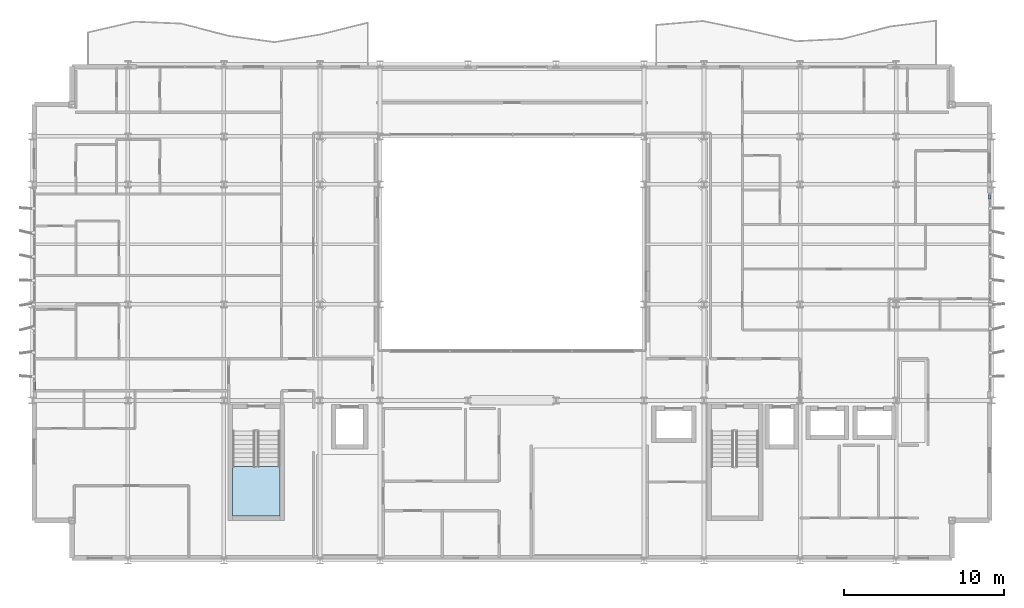
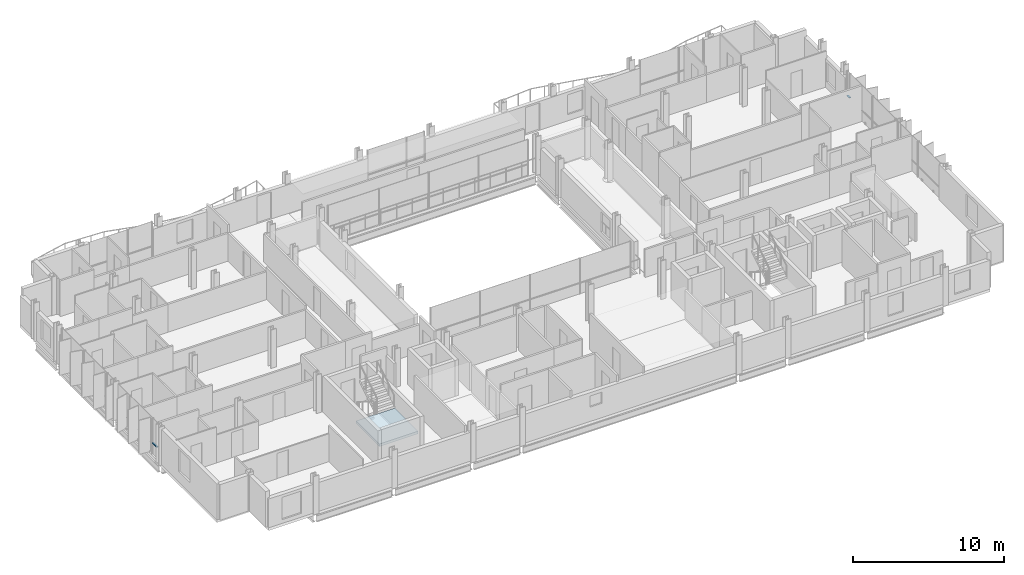
# One storey, part 23 of 40: 2 members, 1 slab, 3 elements without a shape of their own.
"""IFC4 building model written with IfcOpenShell, lengths in metres."""

from ifc_helpers import new_model, si_unit, direction, frame, origin, origin_2d, place, context, subcontext, project, spatial, polyline, hollow_rectangle, outline, extrude, material, layer, layer_set, material_profile, profile_set, type_object, element, aggregate, save


model = new_model("IFC4")

# Units and contexts
model_context = context("Model", 3, precision=1e-05, world=origin(), true_north=direction((0.0, 1.0)))
body_context = subcontext(model_context, "Body", "Model", "MODEL_VIEW")
ifc_project = project(units=[si_unit("LENGTHUNIT", "METRE"), si_unit("AREAUNIT", "SQUARE_METRE"), si_unit("VOLUMEUNIT", "CUBIC_METRE"), si_unit("PLANEANGLEUNIT", "RADIAN"), si_unit("MASSUNIT", "GRAM", prefix="KILO")], contexts=[model_context])

# Site, building, storey
site_placement = place(None, origin())
site = spatial("IfcSite", under=ifc_project, at=site_placement, CompositionType="ELEMENT")
building_placement = place(site_placement, origin())
building = spatial("IfcBuilding", under=site, at=building_placement, Name="Brevholm Reach", CompositionType="ELEMENT")
storey_placement = place(building_placement, frame((0.0, 0.0, 148.0)))
storey = spatial("IfcBuildingStorey", under=building, at=storey_placement, Name="L44", CompositionType="ELEMENT", Elevation=148.0)

# Curtain wall, member
ifc_material_1 = material(Name="Dark Anodised Aluminium 6063-T6 and Solar-Control Glass", Category="aluminium")
ifc_layer_1 = layer(ifc_material_1, 0.14990234375)
ifc_layer_set_1 = layer_set([ifc_layer_1], Name="Dark Anodised Aluminium 6063-T6 and Solar-Control Glass")
curtain_wall_type = type_object("IfcCurtainWallType", Name="CW-01", PredefinedType="NOTDEFINED", material=ifc_layer_set_1)
curtain_wall_1_placement = place(storey_placement, origin())
curtain_wall_1 = element("IfcCurtainWall", 1, at=curtain_wall_1_placement, inside=storey, type_object=curtain_wall_type, Name="L44 Curtain Wall CW-01", PredefinedType="NOTDEFINED")
ifc_material_2 = material(Name="Dark Anodised Aluminium 6063-T6", Category="aluminium")
ifc_material_profile = material_profile(ifc_material_2, hollow_rectangle(XDim=0.06494140625, YDim=0.14990234375, WallThickness=0.0048828125, InnerFilletRadius=0.0048828125, OuterFilletRadius=0.010009765625, at=origin_2d()), Name="RHS 150x65x5")
ifc_profile_set = profile_set([ifc_material_profile], Name="Dark Anodised Aluminium 6063-T6")
member_type = type_object("IfcMemberType", Name="CWT-150", PredefinedType="NOTDEFINED", material=ifc_profile_set)
member_1_placement = place(storey_placement, frame((0.14990234375, 11.1875, 0.89990234375), z_axis=(0.0, -1.0, 0.0), x_axis=(0.0, 0.0, 1.0)))
member_1 = element("IfcMember", 2, at=member_1_placement, type_object=member_type, Name="CT-150 Transom 5.1", ObjectType="TRANSOM", PredefinedType="USERDEFINED", context=body_context, shape_type="SweptSolid", body=[
    extrude(hollow_rectangle(XDim=0.06494140625, YDim=0.14990234375, WallThickness=0.0048828125, InnerFilletRadius=0.0048828125, OuterFilletRadius=0.010009765625, at=origin_2d()), origin(), (0.0, 0.0, 1.0), 0.572509765625),
])
aggregate(curtain_wall_1, [member_1])

curtain_wall_2_placement = place(storey_placement, origin())
curtain_wall_2 = element("IfcCurtainWall", 3, at=curtain_wall_2_placement, inside=storey, type_object=curtain_wall_type, Name="L44 Curtain Wall CW-01", PredefinedType="NOTDEFINED")
member_2_placement = place(storey_placement, frame((59.85009765625, 22.58251953125, 0.89990234375), z_axis=(0.0, 1.0, 0.0), x_axis=(0.0, 0.0, 1.0)))
member_2 = element("IfcMember", 4, at=member_2_placement, type_object=member_type, Name="CT-150 Transom 5.1", ObjectType="TRANSOM", PredefinedType="USERDEFINED", context=body_context, shape_type="SweptSolid", body=[
    extrude(hollow_rectangle(XDim=0.06494140625, YDim=0.14990234375, WallThickness=0.0048828125, InnerFilletRadius=0.0048828125, OuterFilletRadius=0.010009765625, at=origin_2d()), origin(), (0.0, 0.0, 1.0), 0.302490234375),
])
aggregate(curtain_wall_2, [member_2])

# Stair, slab
ifc_material_3 = material(Name="Precast Concrete C40/50", Category="concrete")
stair_type = type_object("IfcStairType", Name="STR-ESC-1400", PredefinedType="DOUBLE_RETURN_STAIR", material=ifc_material_3)
stair_placement = place(storey_placement, origin())
stair = element("IfcStair", 5, at=stair_placement, inside=storey, type_object=stair_type, Name="L44 ST-1", PredefinedType="DOUBLE_RETURN_STAIR")
ifc_material_4 = material(Name="Concrete C40/50", Category="concrete")
ifc_layer_2 = layer(ifc_material_4, 0.199951171875)
ifc_layer_set_2 = layer_set([ifc_layer_2], Name="Concrete C40/50")
slab_type = type_object("IfcSlabType", Name="SLB-LND-200", PredefinedType="LANDING", material=ifc_layer_set_2)
slab_placement = place(storey_placement, frame((0.0, 0.0, 1.35009765625)))
slab = element("IfcSlab", 6, at=slab_placement, type_object=slab_type, Name="ST-1 landing 1", PredefinedType="LANDING", context=body_context, shape_type="SweptSolid", body=[
    extrude(outline(polyline([(12.550048828125, 5.860107421875), (12.550048828125, 2.780029296875), (15.5, 2.780029296875), (15.5, 5.860107421875), (12.550048828125, 5.860107421875)])), origin(), (0.0, 0.0, 1.0), 0.199951171875),
])
aggregate(stair, [slab])

save(model, "model.ifc")
